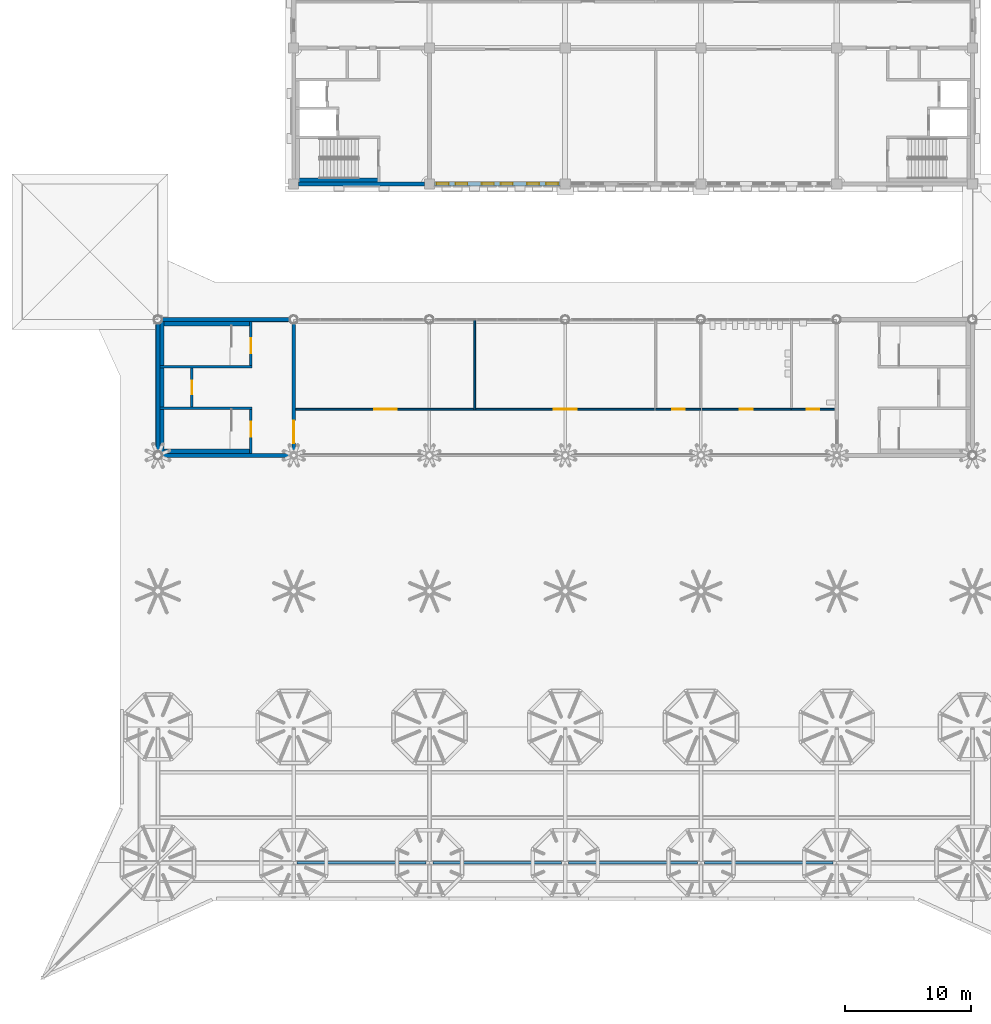
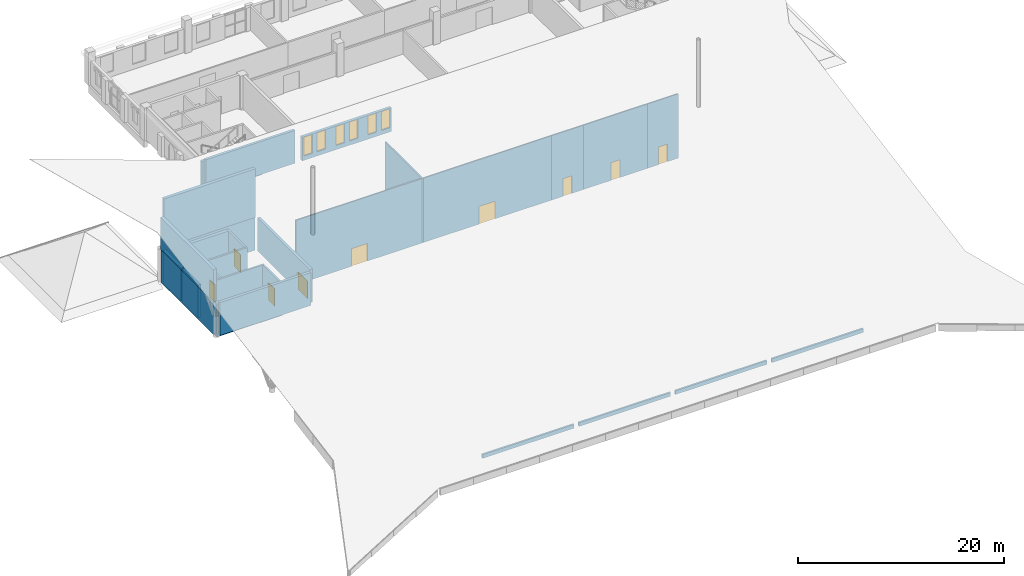
# One storey, part 43 of 56: 29 walls, 9 doors, 6 windows, 15 openings.
"""IFC4 building model written with IfcOpenShell, lengths in metres."""

from ifc_helpers import new_model, si_unit, direction, frame, frame_2d, origin, place, context, subcontext, project, spatial, rectangle, extrude, material, layer, layer_set, type_object, element, fill, save


model = new_model("IFC4")

# Units and contexts
model_context = context("Model", 3, precision=1e-05, world=origin(), true_north=direction((0.0, 1.0)))
body_context = subcontext(model_context, "Body", "Model", "MODEL_VIEW")
ifc_project = project(units=[si_unit("LENGTHUNIT", "METRE"), si_unit("AREAUNIT", "SQUARE_METRE"), si_unit("VOLUMEUNIT", "CUBIC_METRE"), si_unit("PLANEANGLEUNIT", "RADIAN"), si_unit("MASSUNIT", "GRAM", prefix="KILO")], contexts=[model_context])

# Site, building, storey
site_placement = place(None, origin())
site = spatial("IfcSite", under=ifc_project, at=site_placement, CompositionType="ELEMENT")
building_placement = place(site_placement, origin())
building = spatial("IfcBuilding", under=site, at=building_placement, Name="Magnolia Steps Interchange", CompositionType="ELEMENT")
storey_placement = place(building_placement, frame((0.0, 0.0, 8.699951171875)))
storey = spatial("IfcBuildingStorey", under=building, at=storey_placement, Name="L02", CompositionType="ELEMENT", Elevation=8.699951171875)

# Wall, opening, door
ifc_material_1 = material(Name="Concrete C35", Category="concrete")
ifc_layer_1 = layer(ifc_material_1, 0.199951171875)
ifc_layer_set_1 = layer_set([ifc_layer_1], Name="Core enclosure wall 200")
wall_type_1 = type_object("IfcWallType", Name="Core enclosure wall 200", PredefinedType="SOLIDWALL", material=ifc_layer_set_1)
wall_1_placement = place(storey_placement, frame((60.60009765625, 74.949951171875, 0.0), z_axis=(0.0, 0.0, 1.0), x_axis=(0.0, 1.0, 0.0)))
wall_1 = element("IfcWall", 1, at=wall_1_placement, inside=storey, type_object=wall_type_1, Name="L02 HC1 enclosure wall", PredefinedType="SOLIDWALL", context=body_context, shape_type="SweptSolid", body=[
    extrude(rectangle(XDim=3.5, YDim=0.199951171875, at=frame_2d((1.75, 0.0))), origin(), (0.0, 0.0, 1.0), 3.60009765625),
])
opening_1_placement = place(wall_1_placement, frame((1.324951171875, 0.0, 0.0)))
opening_1 = element("IfcOpeningElement", 2, at=opening_1_placement, cuts=wall_1, Name="Opening D-HC1-L02-1", PredefinedType="OPENING", context=body_context, shape_type="SweptSolid", body=[
    extrude(rectangle(XDim=1.199951171875, YDim=2.10009765625, at=frame_2d((0.60009765625, 1.050048828125))), frame((0.0, 0.10986328125, 0.0), z_axis=(0.0, -1.0, 0.0), x_axis=(1.0, 0.0, 0.0)), (0.0, 0.0, 1.0), 0.219970703125),
])
ifc_material_2 = material(Name="Painted steel", Category="steel")
door_type_1 = type_object("IfcDoorType", Name="Stair fire door 1200x2100", OperationType="NOTDEFINED", PredefinedType="DOOR", material=ifc_material_2)
door_1_placement = place(opening_1_placement, frame((1.199951171875, 0.0, 0.0), z_axis=(0.0, 0.0, 1.0), x_axis=(-1.0, 0.0, 0.0)))
door_1 = element("IfcDoor", 3, at=door_1_placement, inside=storey, type_object=door_type_1, Name="Stair door ST1 L02", OperationType="SINGLE_SWING_LEFT", OverallHeight=2.10009765625, OverallWidth=1.199951171875, PredefinedType="DOOR", context=body_context, shape_type="SweptSolid", body=[
    extrude(rectangle(XDim=1.199951171875, YDim=2.10009765625, at=frame_2d((0.60009765625, 1.050048828125))), frame((0.0, 0.02490234375, 0.0), z_axis=(0.0, -1.0, 0.0), x_axis=(1.0, 0.0, 0.0)), (0.0, 0.0, 1.0), 0.050048828125),
])
fill(opening_1, door_1)

# Wall
wall_2_placement = place(storey_placement, frame((60.699951171875, 78.550048828125, 0.0), z_axis=(0.0, 0.0, 1.0), x_axis=(-1.0, 0.0, 0.0)))
element("IfcWall", 4, at=wall_2_placement, inside=storey, type_object=wall_type_1, Name="L02 HC1 enclosure wall", PredefinedType="SOLIDWALL", context=body_context, shape_type="SweptSolid", body=[
    extrude(rectangle(XDim=7.349853515625, YDim=0.199951171875, at=frame_2d((3.6748046875, 0.0))), origin(), (0.0, 0.0, 1.0), 3.60009765625),
])

# Wall, opening, door
wall_3_placement = place(storey_placement, frame((55.89990234375, 78.64990234375, 0.0), z_axis=(0.0, 0.0, 1.0), x_axis=(0.0, 1.0, 0.0)))
wall_3 = element("IfcWall", 5, at=wall_3_placement, inside=storey, type_object=wall_type_1, Name="L02 HC1 enclosure wall", PredefinedType="SOLIDWALL", context=body_context, shape_type="SweptSolid", body=[
    extrude(rectangle(XDim=3.10009765625, YDim=0.199951171875, at=frame_2d((1.550048828125, 0.0))), origin(), (0.0, 0.0, 1.0), 3.60009765625),
])
opening_2_placement = place(wall_3_placement, frame((1.0, 0.0, 0.0)))
opening_2 = element("IfcOpeningElement", 6, at=opening_2_placement, cuts=wall_3, Name="Opening LD", PredefinedType="OPENING", context=body_context, shape_type="SweptSolid", body=[
    extrude(rectangle(XDim=1.10009765625, YDim=2.10009765625, at=frame_2d((0.550048828125, 1.050048828125))), frame((0.0, 0.10986328125, 0.0), z_axis=(0.0, -1.0, 0.0), x_axis=(1.0, 0.0, 0.0)), (0.0, 0.0, 1.0), 0.219970703125),
])
ifc_material_3 = material(Name="Stainless steel grade 304", Category="steel")
door_type_2 = type_object("IfcDoorType", Name="Lift landing door 1100x2100", OperationType="DOUBLE_DOOR_SLIDING", PredefinedType="DOOR", material=ifc_material_3)
door_2_placement = place(opening_2_placement, frame((1.10009765625, 0.0, 0.0), z_axis=(0.0, 0.0, 1.0), x_axis=(-1.0, 0.0, 0.0)))
door_2 = element("IfcDoor", 7, at=door_2_placement, inside=storey, type_object=door_type_2, Name="Lift landing door LF1 L02", OperationType="DOUBLE_DOOR_SLIDING", OverallHeight=2.10009765625, OverallWidth=1.10009765625, PredefinedType="DOOR", context=body_context, shape_type="SweptSolid", body=[
    extrude(rectangle(XDim=1.10009765625, YDim=2.10009765625, at=frame_2d((0.550048828125, 1.050048828125))), frame((0.0, 0.02490234375, 0.0), z_axis=(0.0, -1.0, 0.0), x_axis=(1.0, 0.0, 0.0)), (0.0, 0.0, 1.0), 0.050048828125),
])
fill(opening_2, door_2)

# Wall
wall_4_placement = place(storey_placement, frame((60.699951171875, 81.85009765625, 0.0), z_axis=(0.0, 0.0, 1.0), x_axis=(-1.0, 0.0, 0.0)))
element("IfcWall", 8, at=wall_4_placement, inside=storey, type_object=wall_type_1, Name="L02 HC1 enclosure wall", PredefinedType="SOLIDWALL", context=body_context, shape_type="SweptSolid", body=[
    extrude(rectangle(XDim=7.349853515625, YDim=0.199951171875, at=frame_2d((3.6748046875, 0.0))), origin(), (0.0, 0.0, 1.0), 3.60009765625),
])

# Wall, opening, door
wall_5_placement = place(storey_placement, frame((60.60009765625, 81.949951171875, 0.0), z_axis=(0.0, 0.0, 1.0), x_axis=(0.0, 1.0, 0.0)))
wall_5 = element("IfcWall", 9, at=wall_5_placement, inside=storey, type_object=wall_type_1, Name="L02 HC1 enclosure wall", PredefinedType="SOLIDWALL", context=body_context, shape_type="SweptSolid", body=[
    extrude(rectangle(XDim=3.5, YDim=0.199951171875, at=frame_2d((1.75, 0.0))), origin(), (0.0, 0.0, 1.0), 3.60009765625),
])
opening_3_placement = place(wall_5_placement, frame((0.97509765625, 0.0, 0.0)))
opening_3 = element("IfcOpeningElement", 10, at=opening_3_placement, cuts=wall_5, Name="Opening D-HC1-L02-2", PredefinedType="OPENING", context=body_context, shape_type="SweptSolid", body=[
    extrude(rectangle(XDim=1.199951171875, YDim=2.10009765625, at=frame_2d((0.60009765625, 1.050048828125))), frame((0.0, 0.10986328125, 0.0), z_axis=(0.0, -1.0, 0.0), x_axis=(1.0, 0.0, 0.0)), (0.0, 0.0, 1.0), 0.219970703125),
])
door_3_placement = place(opening_3_placement, frame((1.199951171875, 0.0, 0.0), z_axis=(0.0, 0.0, 1.0), x_axis=(-1.0, 0.0, 0.0)))
door_3 = element("IfcDoor", 11, at=door_3_placement, inside=storey, type_object=door_type_1, Name="Stair door ST2 L02", OperationType="SINGLE_SWING_RIGHT", OverallHeight=2.10009765625, OverallWidth=1.199951171875, PredefinedType="DOOR", context=body_context, shape_type="SweptSolid", body=[
    extrude(rectangle(XDim=1.199951171875, YDim=2.10009765625, at=frame_2d((0.60009765625, 1.050048828125))), frame((0.0, 0.02490234375, 0.0), z_axis=(0.0, -1.0, 0.0), x_axis=(1.0, 0.0, 0.0)), (0.0, 0.0, 1.0), 0.050048828125),
])
fill(opening_3, door_3)

# Walls
ifc_material_4 = material(Name="Concrete C35", Category="concrete")
ifc_layer_2 = layer(ifc_material_4, 0.300048828125)
ifc_layer_set_2 = layer_set([ifc_layer_2], Name="Core lining wall 300")
wall_type_2 = type_object("IfcWallType", Name="Core lining wall 300", PredefinedType="SOLIDWALL", material=ifc_layer_set_2)
wall_6_placement = place(storey_placement, frame((70.85009765625, 96.699951171875, -0.300048828125), z_axis=(0.0, 0.0, 1.0), x_axis=(-1.0, 0.0, 0.0)))
element("IfcWall", 12, at=wall_6_placement, inside=storey, type_object=wall_type_2, Name="L02 OC-W stair lining wall", PredefinedType="SOLIDWALL", context=body_context, shape_type="SweptSolid", body=[
    extrude(rectangle(XDim=6.7001953125, YDim=0.300048828125, at=frame_2d((3.35009765625, 0.0))), origin(), (0.0, 0.0, 1.0), 3.900146484375),
])
ifc_material_5 = material(Name="Concrete C35", Category="concrete")
ifc_layer_3 = layer(ifc_material_5, 0.35009765625)
ifc_layer_set_3 = layer_set([ifc_layer_3], Name="Core lining wall 350")
wall_type_3 = type_object("IfcWallType", Name="Core lining wall 350", PredefinedType="SOLIDWALL", material=ifc_layer_set_3)
wall_7_placement = place(storey_placement, frame((60.699951171875, 75.125, -0.300048828125), z_axis=(0.0, 0.0, 1.0), x_axis=(-1.0, 0.0, 0.0)))
element("IfcWall", 13, at=wall_7_placement, inside=storey, type_object=wall_type_3, Name="L02 HC1 stair lining wall", PredefinedType="SOLIDWALL", context=body_context, shape_type="SweptSolid", body=[
    extrude(rectangle(XDim=7.349853515625, YDim=0.35009765625, at=frame_2d((3.6748046875, 0.0))), origin(), (0.0, 0.0, 1.0), 3.900146484375),
])
wall_8_placement = place(storey_placement, frame((53.52490234375, 74.949951171875, -0.300048828125), z_axis=(0.0, 0.0, 1.0), x_axis=(0.0, 1.0, 0.0)))
element("IfcWall", 14, at=wall_8_placement, inside=storey, type_object=wall_type_3, Name="L02 HC1 stair lining wall", PredefinedType="SOLIDWALL", context=body_context, shape_type="SweptSolid", body=[
    extrude(rectangle(XDim=3.5, YDim=0.35009765625, at=frame_2d((1.75, 0.0))), origin(), (0.0, 0.0, 1.0), 3.900146484375),
])
wall_9_placement = place(storey_placement, frame((60.699951171875, 85.27490234375, -0.300048828125), z_axis=(0.0, 0.0, 1.0), x_axis=(-1.0, 0.0, 0.0)))
element("IfcWall", 15, at=wall_9_placement, inside=storey, type_object=wall_type_3, Name="L02 HC1 stair lining wall", PredefinedType="SOLIDWALL", context=body_context, shape_type="SweptSolid", body=[
    extrude(rectangle(XDim=7.349853515625, YDim=0.35009765625, at=frame_2d((3.6748046875, 0.0))), origin(), (0.0, 0.0, 1.0), 3.900146484375),
])
wall_10_placement = place(storey_placement, frame((53.52490234375, 81.949951171875, -0.300048828125), z_axis=(0.0, 0.0, 1.0), x_axis=(0.0, 1.0, 0.0)))
element("IfcWall", 16, at=wall_10_placement, inside=storey, type_object=wall_type_3, Name="L02 HC1 stair lining wall", PredefinedType="SOLIDWALL", context=body_context, shape_type="SweptSolid", body=[
    extrude(rectangle(XDim=3.5, YDim=0.35009765625, at=frame_2d((1.75, 0.0))), origin(), (0.0, 0.0, 1.0), 3.900146484375),
])
wall_11_placement = place(storey_placement, frame((53.52490234375, 78.64990234375, -0.300048828125), z_axis=(0.0, 0.0, 1.0), x_axis=(0.0, 1.0, 0.0)))
element("IfcWall", 17, at=wall_11_placement, inside=storey, type_object=wall_type_3, Name="L02 HC1 stair lining wall", PredefinedType="SOLIDWALL", context=body_context, shape_type="SweptSolid", body=[
    extrude(rectangle(XDim=3.10009765625, YDim=0.35009765625, at=frame_2d((1.550048828125, 0.0))), origin(), (0.0, 0.0, 1.0), 3.900146484375),
])
ifc_material_6 = material(Name="Concrete C40", Category="concrete")
ifc_layer_4 = layer(ifc_material_6, 0.300048828125)
ifc_layer_set_4 = layer_set([ifc_layer_4], Name="Core wall 300")
wall_type_4 = type_object("IfcWallType", Name="Core wall 300", PredefinedType="SOLIDWALL", material=ifc_layer_set_4)
wall_12_placement = place(storey_placement, frame((53.530029296875, 74.800048828125, 0.0), z_axis=(0.0, 0.0, 1.0), x_axis=(1.0, 0.0, 0.0)))
element("IfcWall", 18, at=wall_12_placement, inside=storey, type_object=wall_type_4, Name="Core wall HC1", PredefinedType="SOLIDWALL", context=body_context, shape_type="SweptSolid", body=[
    extrude(rectangle(XDim=10.1650390625, YDim=0.300048828125, at=frame_2d((5.08251953125, 0.0))), origin(), (0.0, 0.0, 1.0), 3.900146484375),
])

# Wall, opening, door
wall_13_placement = place(storey_placement, frame((64.0, 75.10498046875, 0.0), z_axis=(0.0, 0.0, 1.0), x_axis=(0.0, 1.0, 0.0)))
wall_13 = element("IfcWall", 19, at=wall_13_placement, inside=storey, type_object=wall_type_4, Name="Core wall HC1", PredefinedType="SOLIDWALL", context=body_context, shape_type="SweptSolid", body=[
    extrude(rectangle(XDim=10.1650390625, YDim=0.300048828125, at=frame_2d((5.08251953125, 0.0))), origin(), (0.0, 0.0, 1.0), 3.900146484375),
])
opening_4_placement = place(wall_13_placement, frame((0.669921875, 0.0, 0.0)))
opening_4 = element("IfcOpeningElement", 20, at=opening_4_placement, cuts=wall_13, Name="Opening D-HC1-L02-3", PredefinedType="OPENING", context=body_context, shape_type="SweptSolid", body=[
    extrude(rectangle(XDim=1.800048828125, YDim=2.10009765625, at=frame_2d((0.89990234375, 1.050048828125))), frame((0.0, 0.159912109375, 0.0), z_axis=(0.0, -1.0, 0.0), x_axis=(1.0, 0.0, 0.0)), (0.0, 0.0, 1.0), 0.320068359375),
])
ifc_material_7 = material(Name="Timber and glass", Category="wood")
door_type_3 = type_object("IfcDoorType", Name="Core entrance door pair 1800x2100", OperationType="DOUBLE_DOOR_DOUBLE_SWING", PredefinedType="DOOR", material=ifc_material_7)
door_4_placement = place(opening_4_placement, frame((1.800048828125, 0.0, 0.0), z_axis=(0.0, 0.0, 1.0), x_axis=(-1.0, 0.0, 0.0)))
door_4 = element("IfcDoor", 21, at=door_4_placement, inside=storey, type_object=door_type_3, Name="Core entrance door HC1 L02", OperationType="DOUBLE_DOOR_DOUBLE_SWING", OverallHeight=2.10009765625, OverallWidth=1.800048828125, PredefinedType="DOOR", context=body_context, shape_type="SweptSolid", body=[
    extrude(rectangle(XDim=1.800048828125, YDim=2.10009765625, at=frame_2d((0.89990234375, 1.050048828125))), frame((0.0, 0.02490234375, 0.0), z_axis=(0.0, -1.0, 0.0), x_axis=(1.0, 0.0, 0.0)), (0.0, 0.0, 1.0), 0.050048828125),
])
fill(opening_4, door_4)

# Walls
wall_14_placement = place(storey_placement, frame((63.669921875, 85.60009765625, 0.0), z_axis=(0.0, 0.0, 1.0), x_axis=(-1.0, 0.0, 0.0)))
element("IfcWall", 22, at=wall_14_placement, inside=storey, type_object=wall_type_4, Name="Core wall HC1", PredefinedType="SOLIDWALL", context=body_context, shape_type="SweptSolid", body=[
    extrude(rectangle(XDim=10.139892578125, YDim=0.300048828125, at=frame_2d((5.06982421875, 0.0))), origin(), (0.0, 0.0, 1.0), 3.900146484375),
])
wall_15_placement = place(storey_placement, frame((53.199951171875, 85.27001953125, 0.0), z_axis=(0.0, 0.0, 1.0), x_axis=(0.0, -1.0, 0.0)))
element("IfcWall", 23, at=wall_15_placement, inside=storey, type_object=wall_type_4, Name="Core wall HC1", PredefinedType="SOLIDWALL", context=body_context, shape_type="SweptSolid", body=[
    extrude(rectangle(XDim=10.14013671875, YDim=0.300048828125, at=frame_2d((5.070068359375, 0.0))), origin(), (0.0, 0.0, 1.0), 3.900146484375),
])
wall_16_placement = place(storey_placement, frame((64.39990234375, 96.39990234375, 0.0), z_axis=(0.0, 0.0, 1.0), x_axis=(1.0, 0.0, 0.0)))
element("IfcWall", 24, at=wall_16_placement, inside=storey, type_object=wall_type_4, Name="Core wall OC-W", PredefinedType="SOLIDWALL", context=body_context, shape_type="SweptSolid", body=[
    extrude(rectangle(XDim=10.0, YDim=0.300048828125, at=frame_2d((5.0, 0.0))), origin(), (0.0, 0.0, 1.0), 3.900146484375),
])
ifc_material_8 = material(Name="White powder-coated aluminium cladding", Category="aluminium")
ifc_layer_5 = layer(ifc_material_8, 0.199951171875)
ifc_layer_set_5 = layer_set([ifc_layer_5], Name="Hall header wall 200")
wall_type_5 = type_object("IfcWallType", Name="Hall header wall 200", PredefinedType="SOLIDWALL", material=ifc_layer_set_5)
for number, where, z_axis, x_axis, name in (
    (25, (64.280029296875, 42.39990234375, 1.298828125), (0.0, 0.0, 1.0), (1.0, 0.0, 0.0), "Hall header S2"),
    (26, (75.080078125, 42.39990234375, 1.298828125), (0.0, 0.0, 1.0), (1.0, 0.0, 0.0), "Hall header S3"),
):
    element("IfcWall", number, at=place(storey_placement, frame(where, z_axis=z_axis, x_axis=x_axis)), inside=storey, type_object=wall_type_5, Name=name, PredefinedType="SOLIDWALL", context=body_context, shape_type="SweptSolid", body=[
        extrude(rectangle(XDim=10.239990234375, YDim=0.199951171875, at=frame_2d((5.1201171875, 0.0))), origin(), (0.0, 0.0, 1.0), 0.4443359375),
    ])
wall_17_placement = place(storey_placement, frame((85.8798828125, 42.39990234375, 1.298828125), z_axis=(0.0, 0.0, 1.0), x_axis=(1.0, 0.0, 0.0)))
element("IfcWall", 27, at=wall_17_placement, inside=storey, type_object=wall_type_5, Name="Hall header S4", PredefinedType="SOLIDWALL", context=body_context, shape_type="SweptSolid", body=[
    extrude(rectangle(XDim=10.240234375, YDim=0.199951171875, at=frame_2d((5.1201171875, 0.0))), origin(), (0.0, 0.0, 1.0), 0.4443359375),
])
wall_18_placement = place(storey_placement, frame((96.679931640625, 42.39990234375, 1.298828125), z_axis=(0.0, 0.0, 1.0), x_axis=(1.0, 0.0, 0.0)))
element("IfcWall", 28, at=wall_18_placement, inside=storey, type_object=wall_type_5, Name="Hall header S5", PredefinedType="SOLIDWALL", context=body_context, shape_type="SweptSolid", body=[
    extrude(rectangle(XDim=10.239990234375, YDim=0.199951171875, at=frame_2d((5.1201171875, 0.0))), origin(), (0.0, 0.0, 1.0), 0.4443359375),
])

# Wall, openings, windows
ifc_material_9 = material(Name="Lime render on masonry", Category="masonry")
ifc_layer_6 = layer(ifc_material_9, 0.324951171875)
ifc_layer_set_6 = layer_set([ifc_layer_6], Name="Lime render wall 325")
wall_type_6 = type_object("IfcWallType", Name="Lime render wall 325", PredefinedType="SOLIDWALL", material=ifc_layer_set_6)
wall_19_placement = place(storey_placement, frame((75.199951171875, 96.39990234375, 0.0), z_axis=(0.0, 0.0, 1.0), x_axis=(1.0, 0.0, 0.0)))
wall_19 = element("IfcWall", 29, at=wall_19_placement, inside=storey, type_object=wall_type_6, Name="Operations building south wall L02 pier 1", PredefinedType="SOLIDWALL", context=body_context, shape_type="SweptSolid", body=[
    extrude(rectangle(XDim=10.0, YDim=0.324951171875, at=frame_2d((5.0, 0.0))), origin(), (0.0, 0.0, 1.0), 2.800048828125),
])
opening_5_placement = place(wall_19_placement, frame((0.175048828125, 0.0, 0.5)))
opening_5 = element("IfcOpeningElement", 30, at=opening_5_placement, cuts=wall_19, Name="Opening WN13", PredefinedType="OPENING", context=body_context, shape_type="SweptSolid", body=[
    extrude(rectangle(XDim=0.949951171875, YDim=2.25, at=frame_2d((0.47509765625, 1.125))), frame((0.0, 0.17236328125, 0.0), z_axis=(0.0, -1.0, 0.0), x_axis=(1.0, 0.0, 0.0)), (0.0, 0.0, 1.0), 0.344970703125),
])
opening_6_placement = place(wall_19_placement, frame((3.77490234375, 0.0, 0.5)))
opening_6 = element("IfcOpeningElement", 31, at=opening_6_placement, cuts=wall_19, Name="Opening WN13", PredefinedType="OPENING", context=body_context, shape_type="SweptSolid", body=[
    extrude(rectangle(XDim=0.949951171875, YDim=2.25, at=frame_2d((0.47509765625, 1.125))), frame((0.0, 0.17236328125, 0.0), z_axis=(0.0, -1.0, 0.0), x_axis=(1.0, 0.0, 0.0)), (0.0, 0.0, 1.0), 0.344970703125),
])
opening_7_placement = place(wall_19_placement, frame((7.375, 0.0, 0.5)))
opening_7 = element("IfcOpeningElement", 32, at=opening_7_placement, cuts=wall_19, Name="Opening WN13", PredefinedType="OPENING", context=body_context, shape_type="SweptSolid", body=[
    extrude(rectangle(XDim=0.949951171875, YDim=2.25, at=frame_2d((0.47509765625, 1.125))), frame((0.0, 0.17236328125, 0.0), z_axis=(0.0, -1.0, 0.0), x_axis=(1.0, 0.0, 0.0)), (0.0, 0.0, 1.0), 0.344970703125),
])
opening_8_placement = place(wall_19_placement, frame((1.675048828125, 0.0, 0.5)))
opening_8 = element("IfcOpeningElement", 33, at=opening_8_placement, cuts=wall_19, Name="Opening WN13", PredefinedType="OPENING", context=body_context, shape_type="SweptSolid", body=[
    extrude(rectangle(XDim=0.949951171875, YDim=2.25, at=frame_2d((0.47509765625, 1.125))), frame((0.0, 0.17236328125, 0.0), z_axis=(0.0, -1.0, 0.0), x_axis=(1.0, 0.0, 0.0)), (0.0, 0.0, 1.0), 0.344970703125),
])
opening_9_placement = place(wall_19_placement, frame((5.27490234375, 0.0, 0.5)))
opening_9 = element("IfcOpeningElement", 34, at=opening_9_placement, cuts=wall_19, Name="Opening WN13", PredefinedType="OPENING", context=body_context, shape_type="SweptSolid", body=[
    extrude(rectangle(XDim=0.949951171875, YDim=2.25, at=frame_2d((0.47509765625, 1.125))), frame((0.0, 0.17236328125, 0.0), z_axis=(0.0, -1.0, 0.0), x_axis=(1.0, 0.0, 0.0)), (0.0, 0.0, 1.0), 0.344970703125),
])
opening_10_placement = place(wall_19_placement, frame((8.875, 0.0, 0.5)))
opening_10 = element("IfcOpeningElement", 35, at=opening_10_placement, cuts=wall_19, Name="Opening WN13", PredefinedType="OPENING", context=body_context, shape_type="SweptSolid", body=[
    extrude(rectangle(XDim=0.949951171875, YDim=2.25, at=frame_2d((0.47509765625, 1.125))), frame((0.0, 0.17236328125, 0.0), z_axis=(0.0, -1.0, 0.0), x_axis=(1.0, 0.0, 0.0)), (0.0, 0.0, 1.0), 0.344970703125),
])
ifc_material_10 = material(Name="Timber frame with double glazing", Category="wood")
window_type = type_object("IfcWindowType", Name="Paired piano nobile window 950 x 2250", PartitioningType="DOUBLE_PANEL_VERTICAL", PredefinedType="WINDOW", material=ifc_material_10)
window_1_placement = place(opening_5_placement, origin())
window_1 = element("IfcWindow", 36, at=window_1_placement, inside=storey, type_object=window_type, Name="Paired window L02 south 1a", OverallHeight=2.25, OverallWidth=0.949951171875, PartitioningType="SINGLE_PANEL", PredefinedType="WINDOW", context=body_context, shape_type="SweptSolid", body=[
    extrude(rectangle(XDim=0.949951171875, YDim=2.25, at=frame_2d((0.47509765625, 1.125))), frame((0.0, 0.030029296875, 0.0), z_axis=(0.0, -1.0, 0.0), x_axis=(1.0, 0.0, 0.0)), (0.0, 0.0, 1.0), 0.06005859375),
])
fill(opening_5, window_1)
window_2_placement = place(opening_6_placement, origin())
window_2 = element("IfcWindow", 37, at=window_2_placement, inside=storey, type_object=window_type, Name="Paired window L02 south 2a", OverallHeight=2.25, OverallWidth=0.949951171875, PartitioningType="SINGLE_PANEL", PredefinedType="WINDOW", context=body_context, shape_type="SweptSolid", body=[
    extrude(rectangle(XDim=0.949951171875, YDim=2.25, at=frame_2d((0.47509765625, 1.125))), frame((0.0, 0.030029296875, 0.0), z_axis=(0.0, -1.0, 0.0), x_axis=(1.0, 0.0, 0.0)), (0.0, 0.0, 1.0), 0.06005859375),
])
fill(opening_6, window_2)
window_3_placement = place(opening_7_placement, origin())
window_3 = element("IfcWindow", 38, at=window_3_placement, inside=storey, type_object=window_type, Name="Paired window L02 south 3a", OverallHeight=2.25, OverallWidth=0.949951171875, PartitioningType="SINGLE_PANEL", PredefinedType="WINDOW", context=body_context, shape_type="SweptSolid", body=[
    extrude(rectangle(XDim=0.949951171875, YDim=2.25, at=frame_2d((0.47509765625, 1.125))), frame((0.0, 0.030029296875, 0.0), z_axis=(0.0, -1.0, 0.0), x_axis=(1.0, 0.0, 0.0)), (0.0, 0.0, 1.0), 0.06005859375),
])
fill(opening_7, window_3)
window_4_placement = place(opening_8_placement, origin())
window_4 = element("IfcWindow", 39, at=window_4_placement, inside=storey, type_object=window_type, Name="Paired window L02 south 1b", OverallHeight=2.25, OverallWidth=0.949951171875, PartitioningType="SINGLE_PANEL", PredefinedType="WINDOW", context=body_context, shape_type="SweptSolid", body=[
    extrude(rectangle(XDim=0.949951171875, YDim=2.25, at=frame_2d((0.47509765625, 1.125))), frame((0.0, 0.030029296875, 0.0), z_axis=(0.0, -1.0, 0.0), x_axis=(1.0, 0.0, 0.0)), (0.0, 0.0, 1.0), 0.06005859375),
])
fill(opening_8, window_4)
window_5_placement = place(opening_9_placement, origin())
window_5 = element("IfcWindow", 40, at=window_5_placement, inside=storey, type_object=window_type, Name="Paired window L02 south 2b", OverallHeight=2.25, OverallWidth=0.949951171875, PartitioningType="SINGLE_PANEL", PredefinedType="WINDOW", context=body_context, shape_type="SweptSolid", body=[
    extrude(rectangle(XDim=0.949951171875, YDim=2.25, at=frame_2d((0.47509765625, 1.125))), frame((0.0, 0.030029296875, 0.0), z_axis=(0.0, -1.0, 0.0), x_axis=(1.0, 0.0, 0.0)), (0.0, 0.0, 1.0), 0.06005859375),
])
fill(opening_9, window_5)
window_6_placement = place(opening_10_placement, origin())
window_6 = element("IfcWindow", 41, at=window_6_placement, inside=storey, type_object=window_type, Name="Paired window L02 south 3b", OverallHeight=2.25, OverallWidth=0.949951171875, PartitioningType="SINGLE_PANEL", PredefinedType="WINDOW", context=body_context, shape_type="SweptSolid", body=[
    extrude(rectangle(XDim=0.949951171875, YDim=2.25, at=frame_2d((0.47509765625, 1.125))), frame((0.0, 0.030029296875, 0.0), z_axis=(0.0, -1.0, 0.0), x_axis=(1.0, 0.0, 0.0)), (0.0, 0.0, 1.0), 0.06005859375),
])
fill(opening_10, window_6)

# Walls
ifc_material_11 = material(Name="Lime render on masonry", Category="masonry")
ifc_layer_7 = layer(ifc_material_11, 0.35009765625)
ifc_layer_set_7 = layer_set([ifc_layer_7], Name="Lime render wall 350")
wall_type_7 = type_object("IfcWallType", Name="Lime render wall 350", PredefinedType="SOLIDWALL", material=ifc_layer_set_7)
wall_20_placement = place(storey_placement, frame((53.47998046875, 85.60009765625, 3.900146484375), z_axis=(0.0, 0.0, 1.0), x_axis=(1.0, 0.0, 0.0)))
element("IfcWall", 42, at=wall_20_placement, inside=storey, type_object=wall_type_7, Name="Hall core upper wall N1", PredefinedType="SOLIDWALL", context=body_context, shape_type="SweptSolid", body=[
    extrude(rectangle(XDim=10.239990234375, YDim=0.35009765625, at=frame_2d((5.1201171875, 0.0))), origin(), (0.0, 0.0, 1.0), 5.745361328125),
])
wall_21_placement = place(storey_placement, frame((53.199951171875, 75.080078125, 3.900146484375), z_axis=(0.0, 0.0, 1.0), x_axis=(0.0, 1.0, 0.0)))
element("IfcWall", 43, at=wall_21_placement, inside=storey, type_object=wall_type_7, Name="Hall core upper wall W4", PredefinedType="SOLIDWALL", context=body_context, shape_type="SweptSolid", body=[
    extrude(rectangle(XDim=10.239990234375, YDim=0.35009765625, at=frame_2d((5.1201171875, 0.0))), origin(), (0.0, 0.0, 1.0), 3.821044921875),
])

# Wall, opening, door
ifc_material_12 = material(Name="Fair-faced blockwork", Category="masonry")
ifc_layer_8 = layer(ifc_material_12, 0.14990234375)
ifc_layer_set_8 = layer_set([ifc_layer_8], Name="Partition wall 150")
wall_type_8 = type_object("IfcWallType", Name="Partition wall 150", PredefinedType="PARTITIONING", material=ifc_layer_set_8)
wall_22_placement = place(storey_placement, frame((64.179931640625, 78.47509765625, 0.0), z_axis=(0.0, 0.0, 1.0), x_axis=(1.0, 0.0, 0.0)))
wall_22 = element("IfcWall", 44, at=wall_22_placement, inside=storey, type_object=wall_type_8, Name="L02 partition 1", PredefinedType="PARTITIONING", context=body_context, shape_type="SweptSolid", body=[
    extrude(rectangle(XDim=14.219970703125, YDim=0.14990234375, at=frame_2d((7.10986328125, 0.0))), origin(), (0.0, 0.0, 1.0), 7.625732421875),
])
opening_11_placement = place(wall_22_placement, frame((6.2099609375, 0.0, 0.0)))
opening_11 = element("IfcOpeningElement", 45, at=opening_11_placement, cuts=wall_22, Name="Opening D-L02-1", PredefinedType="OPENING", context=body_context, shape_type="SweptSolid", body=[
    extrude(rectangle(XDim=1.800048828125, YDim=2.10009765625, at=frame_2d((0.89990234375, 1.050048828125))), frame((0.0, 0.0849609375, 0.0), z_axis=(0.0, -1.0, 0.0), x_axis=(1.0, 0.0, 0.0)), (0.0, 0.0, 1.0), 0.169921875),
])
ifc_material_13 = material(Name="Timber", Category="wood")
door_type_4 = type_object("IfcDoorType", Name="Room door pair 1800x2100", OperationType="DOUBLE_DOOR_DOUBLE_SWING", PredefinedType="DOOR", material=ifc_material_13)
door_5_placement = place(opening_11_placement, frame((1.800048828125, 0.0, 0.0), z_axis=(0.0, 0.0, 1.0), x_axis=(-1.0, 0.0, 0.0)))
door_5 = element("IfcDoor", 46, at=door_5_placement, inside=storey, type_object=door_type_4, Name="Upper Gallery Lounge door", OperationType="DOUBLE_DOOR_DOUBLE_SWING", OverallHeight=2.10009765625, OverallWidth=1.800048828125, PredefinedType="DOOR", context=body_context, shape_type="SweptSolid", body=[
    extrude(rectangle(XDim=1.800048828125, YDim=2.10009765625, at=frame_2d((0.89990234375, 1.050048828125))), frame((0.0, 0.02490234375, 0.0), z_axis=(0.0, -1.0, 0.0), x_axis=(1.0, 0.0, 0.0)), (0.0, 0.0, 1.0), 0.050048828125),
])
fill(opening_11, door_5)

wall_23_placement = place(storey_placement, frame((78.39990234375, 78.47509765625, 0.0), z_axis=(0.0, 0.0, 1.0), x_axis=(1.0, 0.0, 0.0)))
wall_23 = element("IfcWall", 47, at=wall_23_placement, inside=storey, type_object=wall_type_8, Name="L02 partition 2", PredefinedType="PARTITIONING", context=body_context, shape_type="SweptSolid", body=[
    extrude(rectangle(XDim=14.400146484375, YDim=0.14990234375, at=frame_2d((7.2001953125, 0.0))), origin(), (0.0, 0.0, 1.0), 7.625732421875),
])
opening_12_placement = place(wall_23_placement, frame((6.300048828125, 0.0, 0.0)))
opening_12 = element("IfcOpeningElement", 48, at=opening_12_placement, cuts=wall_23, Name="Opening D-L02-2", PredefinedType="OPENING", context=body_context, shape_type="SweptSolid", body=[
    extrude(rectangle(XDim=1.800048828125, YDim=2.10009765625, at=frame_2d((0.89990234375, 1.050048828125))), frame((0.0, 0.0849609375, 0.0), z_axis=(0.0, -1.0, 0.0), x_axis=(1.0, 0.0, 0.0)), (0.0, 0.0, 1.0), 0.169921875),
])
door_6_placement = place(opening_12_placement, origin())
door_6 = element("IfcDoor", 49, at=door_6_placement, inside=storey, type_object=door_type_4, Name="Restaurant Gallery door", OperationType="DOUBLE_DOOR_DOUBLE_SWING", OverallHeight=2.10009765625, OverallWidth=1.800048828125, PredefinedType="DOOR", context=body_context, shape_type="SweptSolid", body=[
    extrude(rectangle(XDim=1.800048828125, YDim=2.10009765625, at=frame_2d((0.89990234375, 1.050048828125))), frame((0.0, 0.02490234375, 0.0), z_axis=(0.0, -1.0, 0.0), x_axis=(1.0, 0.0, 0.0)), (0.0, 0.0, 1.0), 0.050048828125),
])
fill(opening_12, door_6)

wall_24_placement = place(storey_placement, frame((92.800048828125, 78.47509765625, 0.0), z_axis=(0.0, 0.0, 1.0), x_axis=(1.0, 0.0, 0.0)))
wall_24 = element("IfcWall", 50, at=wall_24_placement, inside=storey, type_object=wall_type_8, Name="L02 partition 3", PredefinedType="PARTITIONING", context=body_context, shape_type="SweptSolid", body=[
    extrude(rectangle(XDim=3.599853515625, YDim=0.14990234375, at=frame_2d((1.7998046875, 0.0))), origin(), (0.0, 0.0, 1.0), 7.625732421875),
])
opening_13_placement = place(wall_24_placement, frame((1.300048828125, 0.0, 0.0)))
opening_13 = element("IfcOpeningElement", 51, at=opening_13_placement, cuts=wall_24, Name="Opening D-L02-3", PredefinedType="OPENING", context=body_context, shape_type="SweptSolid", body=[
    extrude(rectangle(XDim=1.0, YDim=2.10009765625, at=frame_2d((0.5, 1.050048828125))), frame((0.0, 0.0849609375, 0.0), z_axis=(0.0, -1.0, 0.0), x_axis=(1.0, 0.0, 0.0)), (0.0, 0.0, 1.0), 0.169921875),
])
ifc_material_14 = material(Name="Timber", Category="wood")
door_type_5 = type_object("IfcDoorType", Name="Room door 1000x2100", OperationType="NOTDEFINED", PredefinedType="DOOR", material=ifc_material_14)
door_7_placement = place(opening_13_placement, origin())
door_7 = element("IfcDoor", 52, at=door_7_placement, inside=storey, type_object=door_type_5, Name="Quiet Waiting Lounge door", OperationType="SINGLE_SWING_LEFT", OverallHeight=2.10009765625, OverallWidth=1.0, PredefinedType="DOOR", context=body_context, shape_type="SweptSolid", body=[
    extrude(rectangle(XDim=1.0, YDim=2.10009765625, at=frame_2d((0.5, 1.050048828125))), frame((0.0, 0.02490234375, 0.0), z_axis=(0.0, -1.0, 0.0), x_axis=(1.0, 0.0, 0.0)), (0.0, 0.0, 1.0), 0.050048828125),
])
fill(opening_13, door_7)

wall_25_placement = place(storey_placement, frame((96.39990234375, 78.47509765625, 0.0), z_axis=(0.0, 0.0, 1.0), x_axis=(1.0, 0.0, 0.0)))
wall_25 = element("IfcWall", 53, at=wall_25_placement, inside=storey, type_object=wall_type_8, Name="L02 partition 4", PredefinedType="PARTITIONING", context=body_context, shape_type="SweptSolid", body=[
    extrude(rectangle(XDim=7.2001953125, YDim=0.14990234375, at=frame_2d((3.60009765625, 0.0))), origin(), (0.0, 0.0, 1.0), 7.625732421875),
])
opening_14_placement = place(wall_25_placement, frame((3.10009765625, 0.0, 0.0)))
opening_14 = element("IfcOpeningElement", 54, at=opening_14_placement, cuts=wall_25, Name="Opening D-L02-4", PredefinedType="OPENING", context=body_context, shape_type="SweptSolid", body=[
    extrude(rectangle(XDim=1.0, YDim=2.10009765625, at=frame_2d((0.5, 1.050048828125))), frame((0.0, 0.0849609375, 0.0), z_axis=(0.0, -1.0, 0.0), x_axis=(1.0, 0.0, 0.0)), (0.0, 0.0, 1.0), 0.169921875),
])
door_8_placement = place(opening_14_placement, origin())
door_8 = element("IfcDoor", 55, at=door_8_placement, inside=storey, type_object=door_type_5, Name="Upper Gallery Toilets door", OperationType="SINGLE_SWING_LEFT", OverallHeight=2.10009765625, OverallWidth=1.0, PredefinedType="DOOR", context=body_context, shape_type="SweptSolid", body=[
    extrude(rectangle(XDim=1.0, YDim=2.10009765625, at=frame_2d((0.5, 1.050048828125))), frame((0.0, 0.02490234375, 0.0), z_axis=(0.0, -1.0, 0.0), x_axis=(1.0, 0.0, 0.0)), (0.0, 0.0, 1.0), 0.050048828125),
])
fill(opening_14, door_8)

wall_26_placement = place(storey_placement, frame((103.60009765625, 78.47509765625, 0.0), z_axis=(0.0, 0.0, 1.0), x_axis=(1.0, 0.0, 0.0)))
wall_26 = element("IfcWall", 56, at=wall_26_placement, inside=storey, type_object=wall_type_8, Name="L02 partition 5", PredefinedType="PARTITIONING", context=body_context, shape_type="SweptSolid", body=[
    extrude(rectangle(XDim=3.419921875, YDim=0.14990234375, at=frame_2d((1.7099609375, 0.0))), origin(), (0.0, 0.0, 1.0), 7.625732421875),
])
opening_15_placement = place(wall_26_placement, frame((1.2099609375, 0.0, 0.0)))
opening_15 = element("IfcOpeningElement", 57, at=opening_15_placement, cuts=wall_26, Name="Opening D-L02-5", PredefinedType="OPENING", context=body_context, shape_type="SweptSolid", body=[
    extrude(rectangle(XDim=1.0, YDim=2.10009765625, at=frame_2d((0.5, 1.050048828125))), frame((0.0, 0.0849609375, 0.0), z_axis=(0.0, -1.0, 0.0), x_axis=(1.0, 0.0, 0.0)), (0.0, 0.0, 1.0), 0.169921875),
])
door_9_placement = place(opening_15_placement, origin())
door_9 = element("IfcDoor", 58, at=door_9_placement, inside=storey, type_object=door_type_5, Name="Upper Gallery Accessible Toilet door", OperationType="SINGLE_SWING_RIGHT", OverallHeight=2.10009765625, OverallWidth=1.0, PredefinedType="DOOR", context=body_context, shape_type="SweptSolid", body=[
    extrude(rectangle(XDim=1.0, YDim=2.10009765625, at=frame_2d((0.5, 1.050048828125))), frame((0.0, 0.02490234375, 0.0), z_axis=(0.0, -1.0, 0.0), x_axis=(1.0, 0.0, 0.0)), (0.0, 0.0, 1.0), 0.050048828125),
])
fill(opening_15, door_9)

# Wall
wall_27_placement = place(storey_placement, frame((78.39990234375, 78.39990234375, 0.0), z_axis=(0.0, 0.0, 1.0), x_axis=(0.0, 1.0, 0.0)))
element("IfcWall", 59, at=wall_27_placement, inside=storey, type_object=wall_type_8, Name="L02 partition 6", PredefinedType="PARTITIONING", context=body_context, shape_type="SweptSolid", body=[
    extrude(rectangle(XDim=7.2001953125, YDim=0.14990234375, at=frame_2d((3.60009765625, 0.0))), origin(), (0.0, 0.0, 1.0), 7.625732421875),
])

save(model, "model.ifc")
